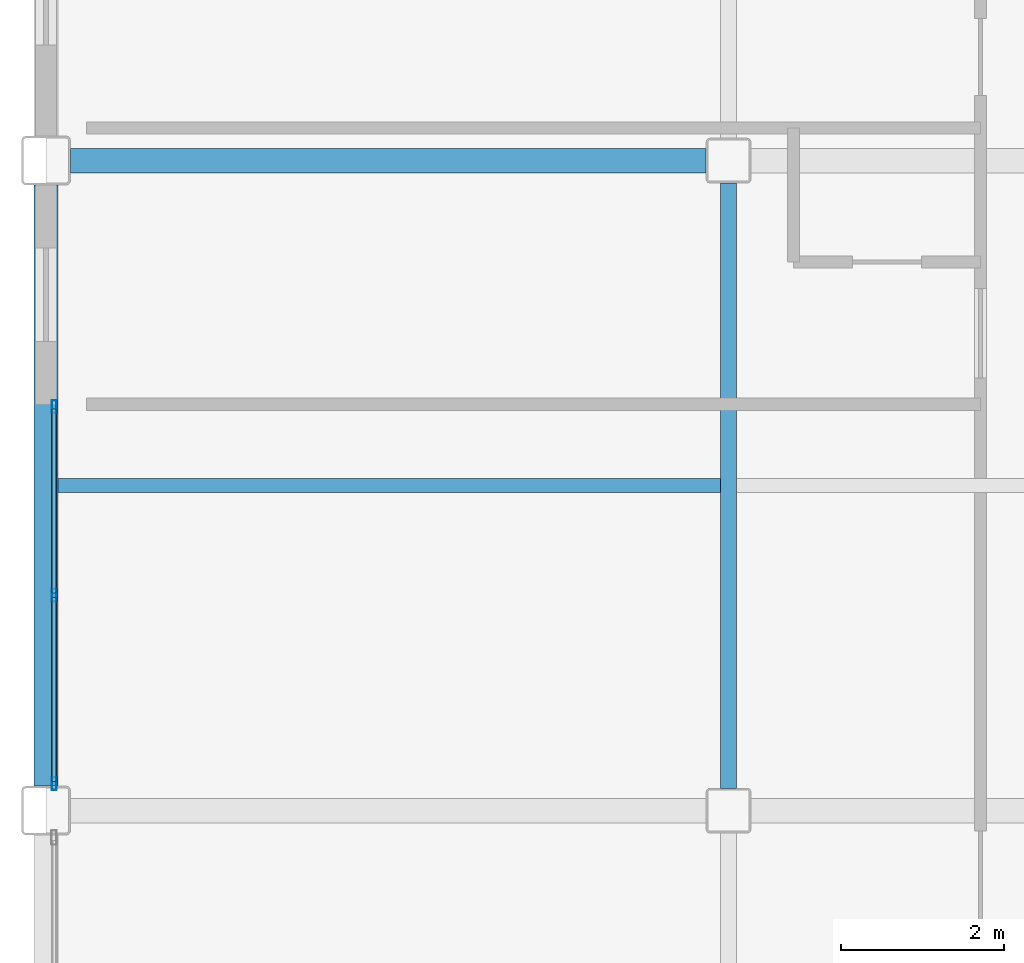
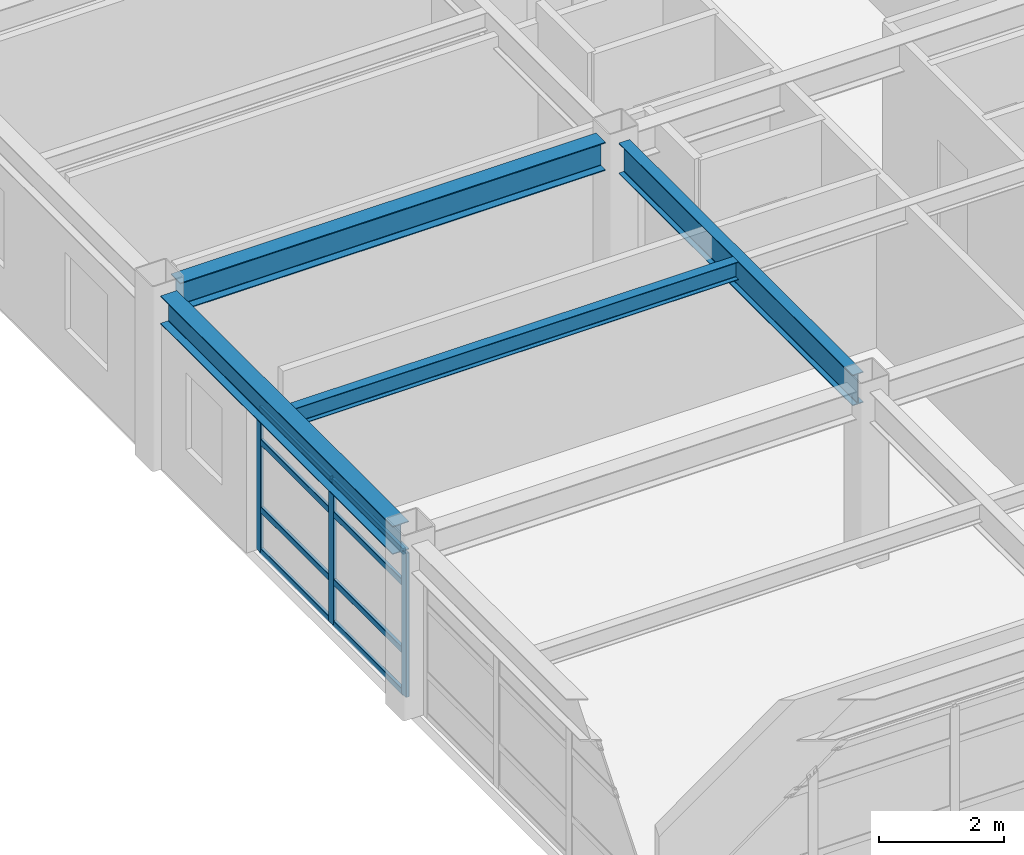
# One storey, part 5 of 36: 11 members, 4 beams, 1 element without a shape of its own.
"""IFC4 building model written with IfcOpenShell, lengths in metres."""

from ifc_helpers import new_model, si_unit, direction, frame, origin, origin_2d, place, context, subcontext, project, spatial, hollow_rectangle, i_section, extrude, material, layer, layer_set, material_profile, profile_set, type_object, element, aggregate, save


model = new_model("IFC4")

# Units and contexts
model_context = context("Model", 3, precision=1e-05, world=origin(), true_north=direction((0.0, 1.0)))
body_context = subcontext(model_context, "Body", "Model", "MODEL_VIEW")
ifc_project = project(units=[si_unit("LENGTHUNIT", "METRE"), si_unit("AREAUNIT", "SQUARE_METRE"), si_unit("VOLUMEUNIT", "CUBIC_METRE"), si_unit("PLANEANGLEUNIT", "RADIAN"), si_unit("MASSUNIT", "GRAM", prefix="KILO")], contexts=[model_context])

# Site, building, storey
site_placement = place(None, origin())
site = spatial("IfcSite", under=ifc_project, at=site_placement, CompositionType="ELEMENT")
building_placement = place(site_placement, origin())
building = spatial("IfcBuilding", under=site, at=building_placement, Name="Kazehara Bluff Congress Hotel", CompositionType="ELEMENT")
storey_placement = place(building_placement, frame((0.0, 0.0, 28.199951171875)))
storey = spatial("IfcBuildingStorey", under=building, at=storey_placement, Name="L06", CompositionType="ELEMENT", Elevation=28.199951171875)

# Curtain wall, members
ifc_material_1 = material(Name="Anodised aluminium", Category="aluminium")
ifc_layer = layer(ifc_material_1, 0.159912109375)
ifc_layer_set = layer_set([ifc_layer], Name="Anodised aluminium")
curtain_wall_type = type_object("IfcCurtainWallType", Name="TP-CW-181", PredefinedType="NOTDEFINED", material=ifc_layer_set)
curtain_wall_placement = place(storey_placement, origin())
curtain_wall = element("IfcCurtainWall", 1, at=curtain_wall_placement, inside=storey, type_object=curtain_wall_type, Name="L06 curtain wall CW-181 CW-ENC-V5-L06-14380-1065", PredefinedType="NOTDEFINED")
ifc_material_2 = material(Name="Anodised aluminium", Category="aluminium")
ifc_material_profile_1 = material_profile(ifc_material_2, hollow_rectangle(XDim=0.06005859375, YDim=0.159912109375, WallThickness=0.00390625, InnerFilletRadius=0.00390625, OuterFilletRadius=0.008056640625, at=origin_2d()))
ifc_profile_set_1 = profile_set([ifc_material_profile_1], Name="Anodised aluminium")
member_type_1 = type_object("IfcMemberType", Name="TP-CWM-01", PredefinedType="MULLION", material=ifc_profile_set_1)
member_1_placement = place(storey_placement, frame((143.800048828125, 8.330078125, 0.0), z_axis=(0.0, 0.0, 1.0), x_axis=(-1.0, 0.0, 0.0)))
member_1 = element("IfcMember", 2, at=member_1_placement, type_object=member_type_1, Name="CW-181 mullion 1", PredefinedType="MULLION", context=body_context, shape_type="SweptSolid", body=[
    extrude(hollow_rectangle(XDim=0.06005859375, YDim=0.159912109375, WallThickness=0.00390625, InnerFilletRadius=0.00390625, OuterFilletRadius=0.008056640625, at=origin_2d()), origin(), (0.0, 0.0, 1.0), 2.804931640625),
])
member_2_placement = place(storey_placement, frame((143.800048828125, 10.64990234375, 0.0), z_axis=(0.0, 0.0, 1.0), x_axis=(-1.0, 0.0, 0.0)))
member_2 = element("IfcMember", 3, at=member_2_placement, type_object=member_type_1, Name="CW-181 mullion 2", PredefinedType="MULLION", context=body_context, shape_type="SweptSolid", body=[
    extrude(hollow_rectangle(XDim=0.06005859375, YDim=0.159912109375, WallThickness=0.00390625, InnerFilletRadius=0.00390625, OuterFilletRadius=0.008056640625, at=origin_2d()), origin(), (0.0, 0.0, 1.0), 2.804931640625),
])
member_3_placement = place(storey_placement, frame((143.800048828125, 12.969970703125, 0.0), z_axis=(0.0, 0.0, 1.0), x_axis=(-1.0, 0.0, 0.0)))
member_3 = element("IfcMember", 4, at=member_3_placement, type_object=member_type_1, Name="CW-181 mullion 3", PredefinedType="MULLION", context=body_context, shape_type="SweptSolid", body=[
    extrude(hollow_rectangle(XDim=0.06005859375, YDim=0.159912109375, WallThickness=0.00390625, InnerFilletRadius=0.00390625, OuterFilletRadius=0.008056640625, at=origin_2d()), origin(), (0.0, 0.0, 1.0), 2.804931640625),
])
ifc_material_3 = material(Name="Anodised aluminium", Category="aluminium")
ifc_material_profile_2 = material_profile(ifc_material_3, hollow_rectangle(XDim=0.06005859375, YDim=0.1201171875, WallThickness=0.00390625, InnerFilletRadius=0.00390625, OuterFilletRadius=0.008056640625, at=origin_2d()))
ifc_profile_set_2 = profile_set([ifc_material_profile_2], Name="Anodised aluminium")
member_type_2 = type_object("IfcMemberType", Name="TP-CWT-01", PredefinedType="USERDEFINED", material=ifc_profile_set_2)
member_4_placement = place(storey_placement, frame((143.800048828125, 8.360107421875, 0.030029296875), z_axis=(0.0, 1.0, 0.0), x_axis=(-1.0, 0.0, 0.0)))
member_4 = element("IfcMember", 5, at=member_4_placement, type_object=member_type_2, Name="CW-181 transom 1.1", ObjectType="TRANSOM", PredefinedType="USERDEFINED", context=body_context, shape_type="SweptSolid", body=[
    extrude(hollow_rectangle(XDim=0.06005859375, YDim=0.1201171875, WallThickness=0.00390625, InnerFilletRadius=0.00390625, OuterFilletRadius=0.008056640625, at=origin_2d()), origin(), (0.0, 0.0, 1.0), 2.260009765625),
])
member_5_placement = place(storey_placement, frame((143.800048828125, 8.360107421875, 0.840087890625), z_axis=(0.0, 1.0, 0.0), x_axis=(-1.0, 0.0, 0.0)))
member_5 = element("IfcMember", 6, at=member_5_placement, type_object=member_type_2, Name="CW-181 transom 1.2", ObjectType="TRANSOM", PredefinedType="USERDEFINED", context=body_context, shape_type="SweptSolid", body=[
    extrude(hollow_rectangle(XDim=0.06005859375, YDim=0.1201171875, WallThickness=0.00390625, InnerFilletRadius=0.00390625, OuterFilletRadius=0.008056640625, at=origin_2d()), origin(), (0.0, 0.0, 1.0), 2.260009765625),
])
member_6_placement = place(storey_placement, frame((143.800048828125, 8.360107421875, 2.155029296875), z_axis=(0.0, 1.0, 0.0), x_axis=(-1.0, 0.0, 0.0)))
member_6 = element("IfcMember", 7, at=member_6_placement, type_object=member_type_2, Name="CW-181 transom 1.3", ObjectType="TRANSOM", PredefinedType="USERDEFINED", context=body_context, shape_type="SweptSolid", body=[
    extrude(hollow_rectangle(XDim=0.06005859375, YDim=0.1201171875, WallThickness=0.00390625, InnerFilletRadius=0.00390625, OuterFilletRadius=0.008056640625, at=origin_2d()), origin(), (0.0, 0.0, 1.0), 2.260009765625),
])
member_7_placement = place(storey_placement, frame((143.800048828125, 8.360107421875, 2.775146484375), z_axis=(0.0, 1.0, 0.0), x_axis=(-1.0, 0.0, 0.0)))
member_7 = element("IfcMember", 8, at=member_7_placement, type_object=member_type_2, Name="CW-181 transom 1.4", ObjectType="TRANSOM", PredefinedType="USERDEFINED", context=body_context, shape_type="SweptSolid", body=[
    extrude(hollow_rectangle(XDim=0.06005859375, YDim=0.1201171875, WallThickness=0.00390625, InnerFilletRadius=0.00390625, OuterFilletRadius=0.008056640625, at=origin_2d()), origin(), (0.0, 0.0, 1.0), 2.260009765625),
])
member_8_placement = place(storey_placement, frame((143.800048828125, 10.679931640625, 0.030029296875), z_axis=(0.0, 1.0, 0.0), x_axis=(-1.0, 0.0, 0.0)))
member_8 = element("IfcMember", 9, at=member_8_placement, type_object=member_type_2, Name="CW-181 transom 2.1", ObjectType="TRANSOM", PredefinedType="USERDEFINED", context=body_context, shape_type="SweptSolid", body=[
    extrude(hollow_rectangle(XDim=0.06005859375, YDim=0.1201171875, WallThickness=0.00390625, InnerFilletRadius=0.00390625, OuterFilletRadius=0.008056640625, at=origin_2d()), origin(), (0.0, 0.0, 1.0), 2.260009765625),
])
member_9_placement = place(storey_placement, frame((143.800048828125, 10.679931640625, 0.840087890625), z_axis=(0.0, 1.0, 0.0), x_axis=(-1.0, 0.0, 0.0)))
member_9 = element("IfcMember", 10, at=member_9_placement, type_object=member_type_2, Name="CW-181 transom 2.2", ObjectType="TRANSOM", PredefinedType="USERDEFINED", context=body_context, shape_type="SweptSolid", body=[
    extrude(hollow_rectangle(XDim=0.06005859375, YDim=0.1201171875, WallThickness=0.00390625, InnerFilletRadius=0.00390625, OuterFilletRadius=0.008056640625, at=origin_2d()), origin(), (0.0, 0.0, 1.0), 2.260009765625),
])
member_10_placement = place(storey_placement, frame((143.800048828125, 10.679931640625, 2.155029296875), z_axis=(0.0, 1.0, 0.0), x_axis=(-1.0, 0.0, 0.0)))
member_10 = element("IfcMember", 11, at=member_10_placement, type_object=member_type_2, Name="CW-181 transom 2.3", ObjectType="TRANSOM", PredefinedType="USERDEFINED", context=body_context, shape_type="SweptSolid", body=[
    extrude(hollow_rectangle(XDim=0.06005859375, YDim=0.1201171875, WallThickness=0.00390625, InnerFilletRadius=0.00390625, OuterFilletRadius=0.008056640625, at=origin_2d()), origin(), (0.0, 0.0, 1.0), 2.260009765625),
])
member_11_placement = place(storey_placement, frame((143.800048828125, 10.679931640625, 2.775146484375), z_axis=(0.0, 1.0, 0.0), x_axis=(-1.0, 0.0, 0.0)))
member_11 = element("IfcMember", 12, at=member_11_placement, type_object=member_type_2, Name="CW-181 transom 2.4", ObjectType="TRANSOM", PredefinedType="USERDEFINED", context=body_context, shape_type="SweptSolid", body=[
    extrude(hollow_rectangle(XDim=0.06005859375, YDim=0.1201171875, WallThickness=0.00390625, InnerFilletRadius=0.00390625, OuterFilletRadius=0.008056640625, at=origin_2d()), origin(), (0.0, 0.0, 1.0), 2.260009765625),
])
aggregate(curtain_wall, [member_1, member_2, member_3, member_4, member_5, member_6, member_7, member_8, member_9, member_10, member_11])

# Beams
ifc_material_4 = material(Name="Steel SN490B", Category="steel")
ifc_material_profile_3 = material_profile(ifc_material_4, i_section(OverallWidth=0.199951171875, OverallDepth=0.60009765625, WebThickness=0.010986328125, FlangeThickness=0.01708984375, FilletRadius=0.012939453125, at=origin_2d()))
ifc_profile_set_3 = profile_set([ifc_material_profile_3], Name="Steel SN490B")
beam_type_1 = type_object("IfcBeamType", Name="TP-G-02", PredefinedType="BEAM", material=ifc_profile_set_3)
beam_1_placement = place(storey_placement, frame((152.10009765625, 8.27490234375, 3.080078125), z_axis=(0.0, 1.0, 0.0), x_axis=(-1.0, 0.0, 0.0)))
element("IfcBeam", 13, at=beam_1_placement, inside=storey, type_object=beam_type_1, Name="L06 girder G-02 14", PredefinedType="BEAM", context=body_context, shape_type="SweptSolid", body=[
    extrude(i_section(OverallWidth=0.199951171875, OverallDepth=0.60009765625, WebThickness=0.010986328125, FlangeThickness=0.01708984375, FilletRadius=0.012939453125, at=origin_2d()), origin(), (0.0, 0.0, 1.0), 7.4501953125),
])
ifc_material_5 = material(Name="Steel SN490B", Category="steel")
ifc_material_profile_4 = material_profile(ifc_material_5, i_section(OverallWidth=0.300048828125, OverallDepth=0.550048828125, WebThickness=0.010986328125, FlangeThickness=0.01806640625, FilletRadius=0.012939453125, at=origin_2d()))
ifc_profile_set_4 = profile_set([ifc_material_profile_4], Name="Steel SN490B")
beam_type_2 = type_object("IfcBeamType", Name="TP-G-12", PredefinedType="BEAM", material=ifc_profile_set_4)
beam_2_placement = place(storey_placement, frame((144.0, 16.0, 3.10498046875), z_axis=(1.0, 0.0, 0.0), x_axis=(0.0, 1.0, 0.0)))
element("IfcBeam", 14, at=beam_2_placement, inside=storey, type_object=beam_type_2, Name="L06 girder G-12 50", PredefinedType="BEAM", context=body_context, shape_type="SweptSolid", body=[
    extrude(i_section(OverallWidth=0.300048828125, OverallDepth=0.550048828125, WebThickness=0.010986328125, FlangeThickness=0.01806640625, FilletRadius=0.012939453125, at=origin_2d()), origin(), (0.0, 0.0, 1.0), 7.824951171875),
])
ifc_material_6 = material(Name="Steel SN400B", Category="steel")
ifc_material_profile_5 = material_profile(ifc_material_6, i_section(OverallWidth=0.175048828125, OverallDepth=0.35009765625, WebThickness=0.007080078125, FlangeThickness=0.010986328125, FilletRadius=0.012939453125, at=origin_2d()))
ifc_profile_set_5 = profile_set([ifc_material_profile_5], Name="Steel SN400B")
beam_type_3 = type_object("IfcBeamType", Name="TP-J-02", PredefinedType="JOIST", material=ifc_profile_set_5)
beam_3_placement = place(storey_placement, frame((143.85009765625, 12.0, 3.205078125), z_axis=(1.0, 0.0, 0.0), x_axis=(0.0, 1.0, 0.0)))
element("IfcBeam", 15, at=beam_3_placement, inside=storey, type_object=beam_type_3, Name="L06 secondary joist J-02 2", PredefinedType="JOIST", context=body_context, shape_type="SweptSolid", body=[
    extrude(i_section(OverallWidth=0.175048828125, OverallDepth=0.35009765625, WebThickness=0.007080078125, FlangeThickness=0.010986328125, FilletRadius=0.012939453125, at=origin_2d()), origin(), (0.0, 0.0, 1.0), 8.14990234375),
])
ifc_material_7 = material(Name="Steel SN490B", Category="steel")
ifc_material_profile_6 = material_profile(ifc_material_7, i_section(OverallWidth=0.300048828125, OverallDepth=0.550048828125, WebThickness=0.010986328125, FlangeThickness=0.01806640625, FilletRadius=0.012939453125, at=origin_2d()))
ifc_profile_set_6 = profile_set([ifc_material_profile_6], Name="Steel SN490B")
beam_type_4 = type_object("IfcBeamType", Name="TP-SP-01", PredefinedType="SPANDREL", material=ifc_profile_set_6)
beam_4_placement = place(storey_placement, frame((143.699951171875, 8.300048828125, 3.10498046875), z_axis=(0.0, 1.0, 0.0), x_axis=(-1.0, 0.0, 0.0)))
element("IfcBeam", 16, at=beam_4_placement, inside=storey, type_object=beam_type_4, Name="L06 girder SP-01 2", PredefinedType="SPANDREL", context=body_context, shape_type="SweptSolid", body=[
    extrude(i_section(OverallWidth=0.300048828125, OverallDepth=0.550048828125, WebThickness=0.010986328125, FlangeThickness=0.01806640625, FilletRadius=0.012939453125, at=origin_2d()), origin(), (0.0, 0.0, 1.0), 7.39990234375),
])

save(model, "model.ifc")
